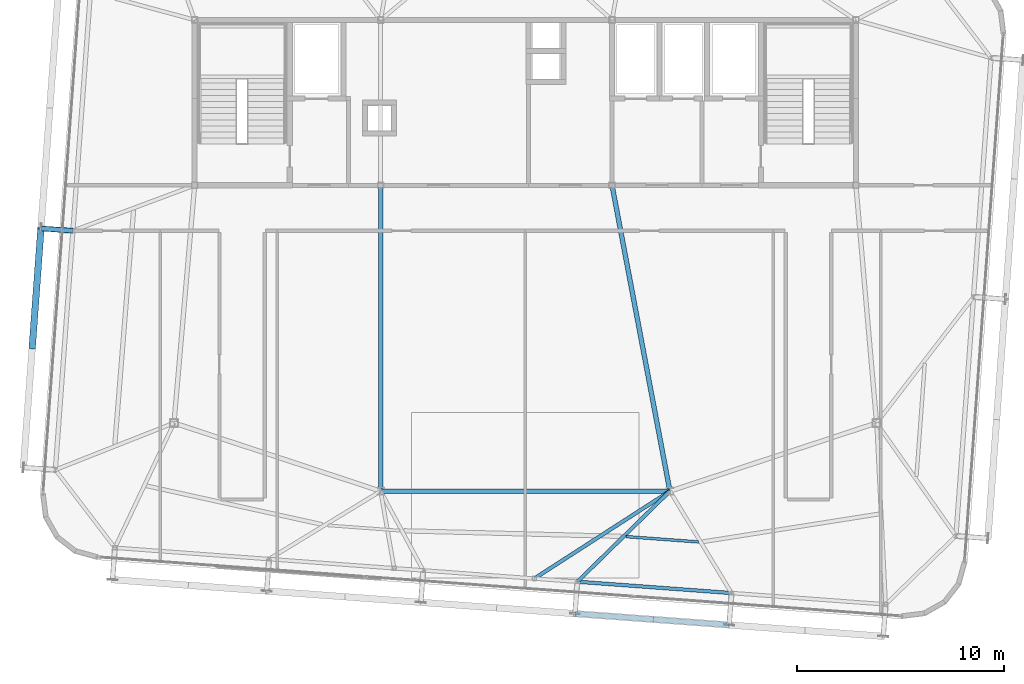
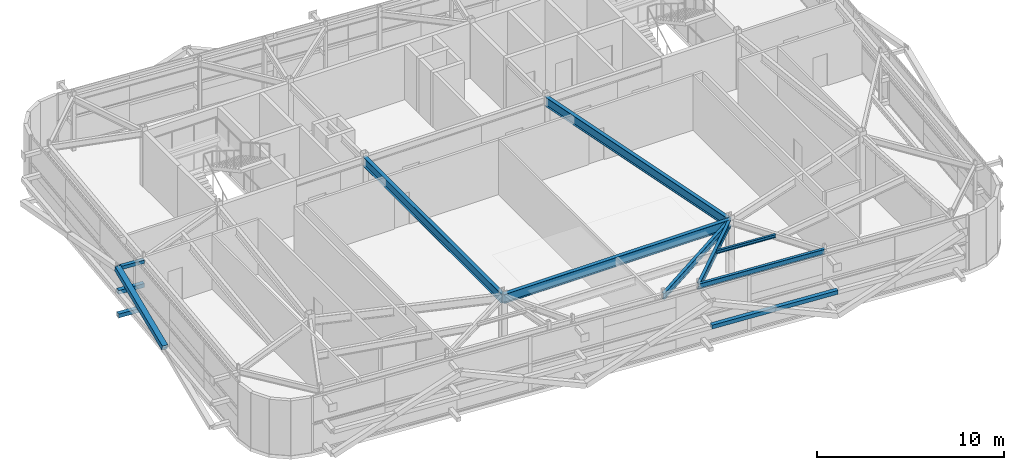
# One storey, part 12 of 35: 7 beams, 5 members.
"""IFC4 building model written with IfcOpenShell, lengths in metres."""

import ifcopenshell
import ifcopenshell.guid

model = None  # the IFC model being written
_history = None  # IfcOwnerHistory: only IFC2X3 demands one
_inside = {}  # id of a spatial element -> (the spatial element, [elements in it])
_under = {}  # id of a project, library or spatial element -> (it, [spatial elements below it])
_declared = {}  # id of a project -> (the project, [libraries it declares])
_typed = {}  # id of a type object -> (the type object, [elements of that type])
_made_of = {}  # id of a material, layer set ... -> (it, [elements and type objects made of it])


def new_model(schema):
    """Start an empty IFC model of exactly this schema.

    Asked for "IFC4X3", IfcOpenShell would pick the latest addendum, in which some entities
    have other attributes; the version numbers below select the first issue.
    IFC2X3 requires an IfcOwnerHistory on every rooted entity: one is made here for all.
    """
    global model, _history
    if schema == "IFC4X3":
        model = ifcopenshell.file(schema_version=(4, 3, 0, 0))
    else:
        model = ifcopenshell.file(schema=schema)
    _inside.clear()
    _under.clear()
    _declared.clear()
    _typed.clear()
    _made_of.clear()
    _history = None
    if model.schema == "IFC2X3":
        org = make("IfcOrganization", Name="unknown")
        user = make(
            "IfcPersonAndOrganization",
            ThePerson=make("IfcPerson", FamilyName="unknown"),
            TheOrganization=org,
        )
        app = make(
            "IfcApplication",
            ApplicationDeveloper=org,
            Version="unknown",
            ApplicationFullName="unknown",
            ApplicationIdentifier="unknown",
        )
        _history = make(
            "IfcOwnerHistory",
            OwningUser=user,
            OwningApplication=app,
            ChangeAction="ADDED",
            CreationDate=0,
        )
    return model


def make(cls, **values):
    """One entity of the class cls with the attributes given. An attribute that is None is left unset."""
    return model.create_entity(
        cls, **{name: value for name, value in values.items() if value is not None}
    )


def rooted(cls, **values):
    """An entity with a GlobalId (a new one), such as an element, a storey or a relation."""
    return make(cls, GlobalId=ifcopenshell.guid.new(), OwnerHistory=_history, **values)


def si_unit(unit_type, name, prefix=None):
    """IfcSIUnit, for example si_unit("LENGTHUNIT", "METRE", prefix="MILLI")."""
    return make("IfcSIUnit", UnitType=unit_type, Prefix=prefix, Name=name)


def assignment(units):
    """IfcUnitAssignment: the units of a project."""
    return None if units is None else make("IfcUnitAssignment", Units=units)


def point(xyz):
    """IfcCartesianPoint."""
    return None if xyz is None else make("IfcCartesianPoint", Coordinates=xyz)


def direction(xyz):
    """IfcDirection."""
    return None if xyz is None else make("IfcDirection", DirectionRatios=xyz)


def frame(location, z_axis=None, x_axis=None):
    """IfcAxis2Placement3D, a coordinate frame: its origin and axes. An axis left out is left unset."""
    return make(
        "IfcAxis2Placement3D",
        Location=point(location),
        Axis=direction(z_axis),
        RefDirection=direction(x_axis),
    )


def frame_2d(location, x_axis=None):
    """IfcAxis2Placement2D, a coordinate frame in the plane: its origin and x axis."""
    return make(
        "IfcAxis2Placement2D", Location=point(location), RefDirection=direction(x_axis)
    )


def origin():
    """The frame at (0, 0, 0) with its axes left unset."""
    return frame((0.0, 0.0, 0.0))


def origin_2d():
    """The frame at (0, 0) in the plane with its x axis left unset."""
    return frame_2d((0.0, 0.0))


def place(relative_to, where):
    """IfcLocalPlacement: puts the frame where relative to a parent placement (None: the world)."""
    return make(
        "IfcLocalPlacement", PlacementRelTo=relative_to, RelativePlacement=where
    )


def context(
    kind, dimensions, precision=None, world=None, true_north=None, identifier=None
):
    """IfcGeometricRepresentationContext, for example the 3D "Model" context."""
    return make(
        "IfcGeometricRepresentationContext",
        ContextIdentifier=identifier,
        ContextType=kind,
        CoordinateSpaceDimension=dimensions,
        Precision=precision,
        WorldCoordinateSystem=world,
        TrueNorth=true_north,
    )


def subcontext(parent, identifier, kind, view, scale=None):
    """IfcGeometricRepresentationSubContext, for example "Body" below "Model"."""
    return make(
        "IfcGeometricRepresentationSubContext",
        ContextIdentifier=identifier,
        ContextType=kind,
        ParentContext=parent,
        TargetScale=scale,
        TargetView=view,
    )


def project(units=None, contexts=None):
    """IfcProject with its units and contexts."""
    return rooted(
        "IfcProject",
        Name="project",
        RepresentationContexts=contexts,
        UnitsInContext=assignment(units),
    )


def spatial(cls, under=None, at=None, **own):
    """A site, building, storey or space (cls), placed at a placement, below another one or the project."""
    s = rooted(cls, ObjectPlacement=at, **own)
    if under is not None:
        _under.setdefault(under.id(), (under, []))[1].append(s)
    return s


def profile(cls, at=None, kind="AREA", **sizes):
    """A parametric profile (cls). Its sizes go by their IFC names, for example OverallWidth=200.0."""
    return make(cls, ProfileType=kind, Position=at, **sizes)


def hollow_rectangle(**sizes):
    """IfcRectangleHollowProfileDef."""
    return profile("IfcRectangleHollowProfileDef", **sizes)


def i_section(**sizes):
    """IfcIShapeProfileDef."""
    return profile("IfcIShapeProfileDef", **sizes)


def extrude(swept, where, along, depth):
    """IfcExtrudedAreaSolid: the profile swept, set in the frame where, extruded along a direction by depth."""
    return make(
        "IfcExtrudedAreaSolid",
        SweptArea=swept,
        Position=where,
        ExtrudedDirection=direction(along),
        Depth=depth,
    )


def shape(context_of_items, identifier, shape_type, items):
    """IfcShapeRepresentation: the items that make up one representation, for example the "Body"."""
    return make(
        "IfcShapeRepresentation",
        ContextOfItems=context_of_items,
        RepresentationIdentifier=identifier,
        RepresentationType=shape_type,
        Items=items,
    )


def source(mapping_origin, context_of_items, identifier, shape_type, items):
    """IfcRepresentationMap: a shape defined once, which mapped items show again and again."""
    return make(
        "IfcRepresentationMap",
        MappingOrigin=mapping_origin,
        MappedRepresentation=shape(context_of_items, identifier, shape_type, items),
    )


def transform(
    local_origin,
    x_axis=None,
    y_axis=None,
    z_axis=None,
    scale=None,
    scale2=None,
    scale3=None,
    uniform=True,
):
    """IfcCartesianTransformationOperator3D, or its non-uniform kind. x_axis, y_axis, z_axis: its Axis1, 2, 3."""
    if uniform:
        return make(
            "IfcCartesianTransformationOperator3D",
            Axis1=direction(x_axis),
            Axis2=direction(y_axis),
            LocalOrigin=point(local_origin),
            Scale=scale,
            Axis3=direction(z_axis),
        )
    return make(
        "IfcCartesianTransformationOperator3DnonUniform",
        Axis1=direction(x_axis),
        Axis2=direction(y_axis),
        LocalOrigin=point(local_origin),
        Scale=scale,
        Axis3=direction(z_axis),
        Scale2=scale2,
        Scale3=scale3,
    )


def mapped(mapping_source, mapping_target):
    """IfcMappedItem: shows the shape of a source again, moved by a transform."""
    return make(
        "IfcMappedItem", MappingSource=mapping_source, MappingTarget=mapping_target
    )


def material(Name=None, Category=None):
    """IfcMaterial."""
    return make("IfcMaterial", Name=Name, Category=Category)


def material_profile(
    of_material, cross_section, Name=None, Category=None, Priority=None
):
    """IfcMaterialProfile: a cross section and its material."""
    return make(
        "IfcMaterialProfile",
        Name=Name,
        Material=of_material,
        Profile=cross_section,
        Priority=Priority,
        Category=Category,
    )


def profile_set(profiles, Name=None, composite=None):
    """IfcMaterialProfileSet."""
    return make(
        "IfcMaterialProfileSet",
        Name=Name,
        MaterialProfiles=profiles,
        CompositeProfile=composite,
    )


def made_of(thing, what):
    """Note that an element or type object is made of a material, layer set ...; save() writes the relation."""
    if what is not None:
        _made_of.setdefault(what.id(), (what, []))[1].append(thing)
    return thing


def type_object(cls, material=None, **own):
    """A type object (cls), such as IfcWallType, which elements share."""
    return made_of(rooted(cls, **own), material)


def element(
    cls,
    number,
    at=None,
    inside=None,
    cuts=None,
    type_object=None,
    material=None,
    context=None,
    identifier="Body",
    shape_type=None,
    held_by="IfcProductDefinitionShape",
    body=None,
    shapes=None,
    **own,
):
    """One element of the class cls, such as IfcWall. Its Tag is "e" and its number.

    at: its placement. inside: the storey or other place that contains it. cuts: it is an
    opening in that element (IfcRelVoidsElement). A single representation is given by context,
    identifier, shape_type and body (its items); several are given by shapes. held_by: the class
    of the entity that holds the representations. save() writes the other relations.
    """
    e = rooted(cls, Tag="e%d" % number, ObjectPlacement=at, **own)
    if body is not None:
        shapes = [shape(context, identifier, shape_type, body)]
    if shapes is not None:
        e.Representation = make(held_by, Representations=shapes)
    if inside is not None:
        _inside.setdefault(inside.id(), (inside, []))[1].append(e)
    if cuts is not None:
        rooted(
            "IfcRelVoidsElement", RelatingBuildingElement=cuts, RelatedOpeningElement=e
        )
    if type_object is not None:
        _typed.setdefault(type_object.id(), (type_object, []))[1].append(e)
    return made_of(e, material)


def aggregate(whole, parts):
    """IfcRelAggregates: a whole, such as a stair, and the parts it consists of."""
    return rooted("IfcRelAggregates", RelatingObject=whole, RelatedObjects=parts)


def save(model, path):
    """Write the relations noted so far, then the file.

    IfcRelAggregates (storeys below a building ...), IfcRelContainedInSpatialStructure (elements
    in a storey), IfcRelDefinesByType, IfcRelAssociatesMaterial and IfcRelDeclares: one each for
    every whole, place, type object, material and project.
    """
    for whole, parts in _under.values():
        aggregate(whole, parts)
    for where, things in _inside.values():
        rooted(
            "IfcRelContainedInSpatialStructure",
            RelatedElements=things,
            RelatingStructure=where,
        )
    for kind, things in _typed.values():
        rooted("IfcRelDefinesByType", RelatedObjects=things, RelatingType=kind)
    for what, things in _made_of.values():
        rooted("IfcRelAssociatesMaterial", RelatedObjects=things, RelatingMaterial=what)
    for by, libraries in _declared.values():
        rooted("IfcRelDeclares", RelatingContext=by, RelatedDefinitions=libraries)
    model.write(path)


model = new_model("IFC4")

# Units and contexts
model_context = context("Model", 3, precision=1e-05, world=origin(), true_north=direction((0.0, 1.0)))
body_context = subcontext(model_context, "Body", "Model", "MODEL_VIEW")
ifc_project = project(units=[si_unit("LENGTHUNIT", "METRE"), si_unit("AREAUNIT", "SQUARE_METRE"), si_unit("VOLUMEUNIT", "CUBIC_METRE"), si_unit("PLANEANGLEUNIT", "RADIAN"), si_unit("MASSUNIT", "GRAM", prefix="KILO")], contexts=[model_context])

# Site, building, storey
site_placement = place(None, origin())
site = spatial("IfcSite", under=ifc_project, at=site_placement, CompositionType="ELEMENT")
building_placement = place(site_placement, origin())
building = spatial("IfcBuilding", under=site, at=building_placement, Name="Taldren Reach Tower", CompositionType="ELEMENT")
storey_placement = place(building_placement, frame((0.0, 0.0, 249.199951171875)))
storey = spatial("IfcBuildingStorey", under=building, at=storey_placement, Name="L76", CompositionType="ELEMENT", Elevation=249.199951171875)

# Beams
ifc_material_1 = material(Name="Steel Gr 350 (350PLUS)", Category="steel")
ifc_material_profile_1 = material_profile(ifc_material_1, i_section(OverallWidth=0.22802734375, OverallDepth=0.60205078125, WebThickness=0.010498046875, FlangeThickness=0.014892578125, at=origin_2d()), Name="610UB101")
ifc_profile_set_1 = profile_set([ifc_material_profile_1], Name="Steel Gr 350 (350PLUS)")
beam_type_1 = type_object("IfcBeamType", Name="BM-UB610B", PredefinedType="BEAM", material=ifc_profile_set_1)
shared_shape_1 = source(origin(), body_context, "Body", "SweptSolid", [
    extrude(i_section(OverallWidth=0.22802734375, OverallDepth=0.60205078125, WebThickness=0.010498046875, FlangeThickness=0.014892578125, at=origin_2d()), origin(), (0.0, 0.0, 1.0), 14.0),
])
beam_1_placement = place(storey_placement, frame((28.0, 9.199951171875, 3.26904296875), z_axis=(1.0, 0.0, 0.0), x_axis=(0.0, 1.0, 0.0)))
element("IfcBeam", 1, at=beam_1_placement, inside=storey, type_object=beam_type_1, Name="Core-spine girder L76-SP11", PredefinedType="BEAM", context=body_context, shape_type="MappedRepresentation", body=[
    mapped(shared_shape_1, transform((0.0, 0.0, 0.0), scale=1.0)),
])
shared_shape_2 = source(origin(), body_context, "Body", "SweptSolid", [
    extrude(i_section(OverallWidth=0.22802734375, OverallDepth=0.60205078125, WebThickness=0.010498046875, FlangeThickness=0.014892578125, at=origin_2d()), origin(), (0.0, 0.0, 1.0), 14.800048828125),
])
beam_2_placement = place(storey_placement, frame((28.0, 24.0, 3.26904296875), z_axis=(0.0, -1.0, 0.0), x_axis=(1.0, 0.0, 0.0)))
element("IfcBeam", 2, at=beam_2_placement, inside=storey, type_object=beam_type_1, Name="Core-spine girder L76-SP14", PredefinedType="BEAM", context=body_context, shape_type="MappedRepresentation", body=[
    mapped(shared_shape_2, transform((0.0, 0.0, 0.0), scale=1.0)),
])
shared_shape_3 = source(origin(), body_context, "Body", "SweptSolid", [
    extrude(i_section(OverallWidth=0.22802734375, OverallDepth=0.60205078125, WebThickness=0.010498046875, FlangeThickness=0.014892578125, at=origin_2d()), origin(), (0.0, 0.0, 1.0), 15.0625),
])
beam_3_placement = place(storey_placement, frame((39.199951171875, 24.0, 3.26904296875), z_axis=(0.185894205668, -0.982569765614, 0.0), x_axis=(0.982569765614, 0.185894205668, 0.0)))
element("IfcBeam", 3, at=beam_3_placement, inside=storey, type_object=beam_type_1, Name="Core-spine girder L76-SP15", PredefinedType="BEAM", context=body_context, shape_type="MappedRepresentation", body=[
    mapped(shared_shape_3, transform((0.0, 0.0, 0.0), scale=1.0)),
])
ifc_material_profile_2 = material_profile(ifc_material_1, i_section(OverallWidth=0.172119140625, OverallDepth=0.35888671875, WebThickness=0.008056640625, FlangeThickness=0.012939453125, at=origin_2d()), Name="360UB56.7")
ifc_profile_set_2 = profile_set([ifc_material_profile_2], Name="Steel Gr 350 (350PLUS)")
beam_type_2 = type_object("IfcBeamType", Name="SP-UB360", PredefinedType="SPANDREL", material=ifc_profile_set_2)
shared_shape_4 = source(origin(), body_context, "Body", "SweptSolid", [
    extrude(i_section(OverallWidth=0.172119140625, OverallDepth=0.35888671875, WebThickness=0.008056640625, FlangeThickness=0.012939453125, at=origin_2d()), origin(), (0.0, 0.0, 1.0), 7.479736328125),
])
beam_4_placement = place(storey_placement, frame((37.5205078125, 4.81689453125, 3.390625), z_axis=(0.997314045547, -0.073244075215, 0.0), x_axis=(0.073244075215, 0.997314045547, 0.0)))
element("IfcBeam", 4, at=beam_4_placement, inside=storey, type_object=beam_type_2, Name="Perimeter spandrel B5 S4-S5 L76", PredefinedType="SPANDREL", context=body_context, shape_type="MappedRepresentation", body=[
    mapped(shared_shape_4, transform((0.0, 0.0, 0.0), scale=1.0)),
])
ifc_material_profile_3 = material_profile(ifc_material_1, i_section(OverallWidth=0.177978515625, OverallDepth=0.406005859375, WebThickness=0.0078125, FlangeThickness=0.0126953125, at=origin_2d()), Name="410UB59.7")
ifc_profile_set_3 = profile_set([ifc_material_profile_3], Name="Steel Gr 350 (350PLUS)")
beam_type_3 = type_object("IfcBeamType", Name="BM-UB410", PredefinedType="BEAM", material=ifc_profile_set_3)
shared_shape_5 = source(origin(), body_context, "Body", "SweptSolid", [
    extrude(i_section(OverallWidth=0.177978515625, OverallDepth=0.406005859375, WebThickness=0.0078125, FlangeThickness=0.0126953125, at=origin_2d()), origin(), (0.0, 0.0, 1.0), 7.80908203125),
])
beam_5_placement = place(storey_placement, frame((42.0, 9.199951171875, 3.366943359375), z_axis=(-0.840564391699, -0.541711642304, 0.0), x_axis=(0.541711642304, -0.840564391699, 0.0)))
element("IfcBeam", 5, at=beam_5_placement, inside=storey, type_object=beam_type_3, Name="Primary floor girder B5-PJ2 L76", PredefinedType="BEAM", context=body_context, shape_type="MappedRepresentation", body=[
    mapped(shared_shape_5, transform((0.0, 0.0, 0.0), scale=1.0)),
])
shared_shape_6 = source(origin(), body_context, "Body", "SweptSolid", [
    extrude(i_section(OverallWidth=0.177978515625, OverallDepth=0.406005859375, WebThickness=0.0078125, FlangeThickness=0.0126953125, at=origin_2d()), origin(), (0.0, 0.0, 1.0), 6.26708984375),
])
beam_6_placement = place(storey_placement, frame((42.0, 9.199951171875, 3.366943359375), z_axis=(-0.71475866888, -0.699371178461, 0.0), x_axis=(0.699371178461, -0.71475866888, 0.0)))
element("IfcBeam", 6, at=beam_6_placement, inside=storey, type_object=beam_type_3, Name="Primary floor girder B5-S4 L76", PredefinedType="BEAM", context=body_context, shape_type="MappedRepresentation", body=[
    mapped(shared_shape_6, transform((0.0, 0.0, 0.0), scale=1.0)),
])
ifc_material_2 = material(Name="Steel Gr 300 (300PLUS, 300 MPa)", Category="steel")
ifc_material_profile_4 = material_profile(ifc_material_2, i_section(OverallWidth=0.134033203125, OverallDepth=0.20703125, WebThickness=0.00634765625, FlangeThickness=0.009521484375, at=origin_2d()), Name="200UB29.8")
ifc_profile_set_4 = profile_set([ifc_material_profile_4], Name="Steel Gr 300 (300PLUS, 300 MPa)")
beam_type_4 = type_object("IfcBeamType", Name="JS-UB200", PredefinedType="JOIST", material=ifc_profile_set_4)
shared_shape_7 = source(origin(), body_context, "Body", "SweptSolid", [
    extrude(i_section(OverallWidth=0.134033203125, OverallDepth=0.20703125, WebThickness=0.00634765625, FlangeThickness=0.009521484375, at=origin_2d()), origin(), (0.0, 0.0, 1.0), 3.51220703125),
])
beam_7_placement = place(storey_placement, frame((39.878662109375, 6.999755859375, 3.466552734375), z_axis=(0.997312333235, -0.073267386856, 0.0), x_axis=(0.073267386856, 0.997312333235, 0.0)))
element("IfcBeam", 7, at=beam_7_placement, inside=storey, type_object=beam_type_4, Name="Secondary floor joist B5 J4 L76", PredefinedType="JOIST", context=body_context, shape_type="MappedRepresentation", body=[
    mapped(shared_shape_7, transform((0.0, 0.0, 0.0), scale=1.0)),
])

# Members
ifc_material_3 = material(Name="Steel Gr 450 (C450L0)", Category="steel")
ifc_material_profile_5 = material_profile(ifc_material_3, hollow_rectangle(XDim=0.219970703125, YDim=0.219970703125, WallThickness=0.00830078125, at=origin_2d()), Name="220x220x8.2SHS")
ifc_profile_set_5 = profile_set([ifc_material_profile_5], Name="Steel Gr 450 (C450L0)")
member_type_1 = type_object("IfcMemberType", Name="MB-TIE219", PredefinedType="STRUT", material=ifc_profile_set_5)
shared_shape_8 = source(origin(), body_context, "Body", "SweptSolid", [
    extrude(hollow_rectangle(XDim=0.219970703125, YDim=0.219970703125, WallThickness=0.00830078125, at=origin_2d()), origin(), (0.0, 0.0, 1.0), 1.546142578125),
])
member_1_placement = place(storey_placement, frame((13.104736328125, 21.800537109375, 3.2900390625), z_axis=(-0.997312378271, 0.073266773831, 0.0), x_axis=(-0.073266773831, -0.997312378271, 0.0)))
element("IfcMember", 8, at=member_1_placement, inside=storey, type_object=member_type_1, Name="Exoskeleton diaphragm tie strut B5-W2 L76", PredefinedType="STRUT", context=body_context, shape_type="MappedRepresentation", body=[
    mapped(shared_shape_8, transform((0.0, 0.0, 0.0), scale=1.0)),
])
ifc_material_4 = material(Name="Steel Gr 350 (C350L0)", Category="steel")
ifc_material_profile_6 = material_profile(ifc_material_4, hollow_rectangle(XDim=0.25, YDim=0.25, WallThickness=0.010009765625, at=origin_2d()), Name="250x250x10.0SHS")
ifc_profile_set_6 = profile_set([ifc_material_profile_6], Name="Steel Gr 350 (C350L0)")
member_type_2 = type_object("IfcMemberType", Name="MB-POST250", PredefinedType="POST", material=ifc_profile_set_6)
shared_shape_9 = source(origin(), body_context, "Body", "SweptSolid", [
    extrude(hollow_rectangle(XDim=0.25, YDim=0.25, WallThickness=0.010009765625, at=origin_2d()), origin(), (0.0, 0.0, 1.0), 7.479736328125),
])
member_2_placement = place(storey_placement, frame((37.406982421875, 3.27099609375, 1.755126953125), z_axis=(0.997314045547, -0.073244075215, 0.0), x_axis=(0.073244075215, 0.997314045547, 0.0)))
element("IfcMember", 9, at=member_2_placement, inside=storey, type_object=member_type_2, Name="Exoskeleton mid-height ring chord B5-S4 L76", PredefinedType="POST", context=body_context, shape_type="MappedRepresentation", body=[
    mapped(shared_shape_9, transform((0.0, 0.0, 0.0), scale=1.0)),
])
shared_shape_10 = source(origin(), body_context, "Body", "SweptSolid", [
    extrude(hollow_rectangle(XDim=0.25, YDim=0.25, WallThickness=0.010009765625, at=origin_2d()), origin(), (0.0, 0.0, 1.0), 1.546142578125),
])
for number, where, z_axis, x_axis, name in (
    (10, (13.104736328125, 21.800537109375, 0.219970703125), (-0.997312378271, 0.073266773831, 0.0), (-0.073266773831, -0.997312378271, 0.0), "Exoskeleton base diaphragm tie strut B5-W2 L76"),
    (11, (13.104736328125, 21.800537109375, 1.755126953125), (-0.997312378271, 0.073266773831, 0.0), (-0.073266773831, -0.997312378271, 0.0), "Exoskeleton mid-tier diaphragm tie B5-W2 L76"),
):
    element("IfcMember", number, at=place(storey_placement, frame(where, z_axis=z_axis, x_axis=x_axis)), inside=storey, type_object=member_type_2, Name=name, PredefinedType="POST", context=body_context, shape_type="MappedRepresentation", body=[
        mapped(shared_shape_10, transform((0.0, 0.0, 0.0), scale=1.0)),
    ])
ifc_material_profile_7 = material_profile(ifc_material_3, hollow_rectangle(XDim=0.324951171875, YDim=0.324951171875, WallThickness=0.0126953125, at=origin_2d()), Name="325x325x12.7SHS")
ifc_profile_set_7 = profile_set([ifc_material_profile_7], Name="Steel Gr 450 (C450L0)")
member_type_3 = type_object("IfcMemberType", Name="MB-BR324", PredefinedType="BRACE", material=ifc_profile_set_7)
shared_shape_11 = source(origin(), body_context, "Body", "SweptSolid", [
    extrude(hollow_rectangle(XDim=0.324951171875, YDim=0.324951171875, WallThickness=0.0126953125, at=origin_2d()), origin(), (0.0, 0.0, 1.0), 5.999755859375),
])
member_3_placement = place(storey_placement, frame((11.137939453125, 16.12939453125, 1.755126953125), z_axis=(0.070804741284, 0.964124560479, 0.255832993362), x_axis=(-0.997314185625, 0.073242167855, 0.0)))
element("IfcMember", 12, at=member_3_placement, inside=storey, type_object=member_type_3, Name="Exoskeleton Diagrid Brace B5-W1 L76", PredefinedType="BRACE", context=body_context, shape_type="MappedRepresentation", body=[
    mapped(shared_shape_11, transform((0.0, 0.0, 0.0), scale=1.0)),
])

save(model, "model.ifc")
